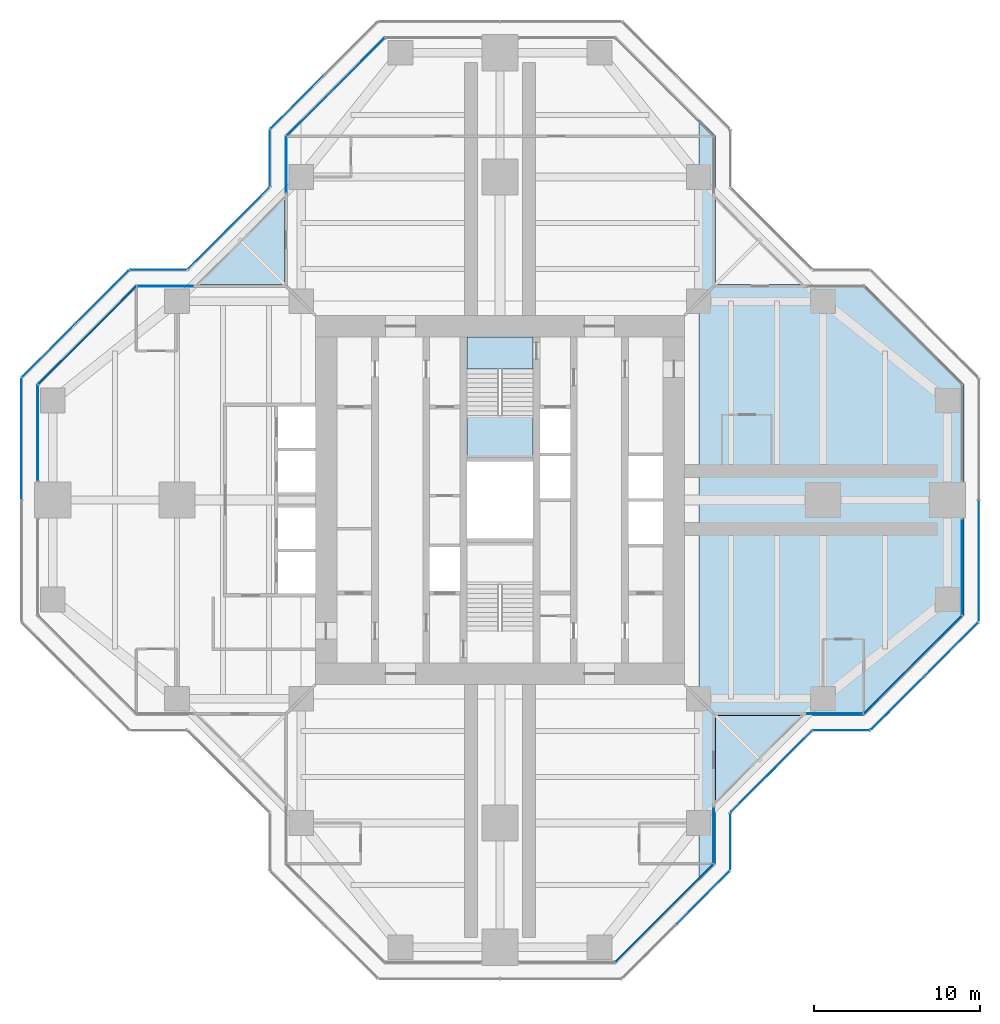
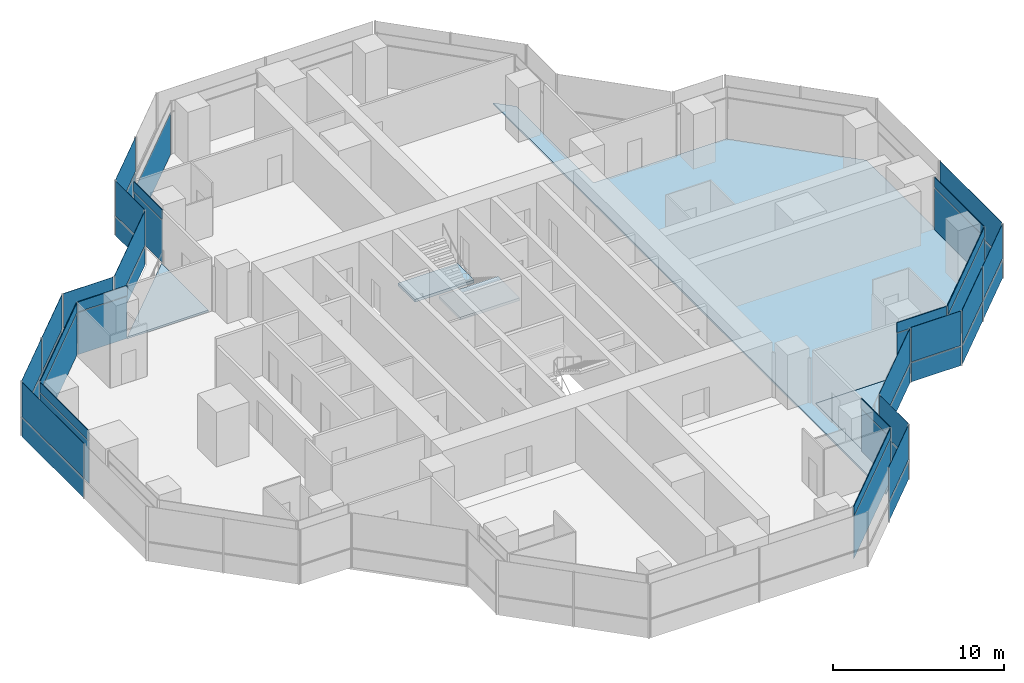
# One storey, part 11 of 17: 47 plates, 5 slabs, 23 elements without a shape of their own.
"""IFC4 building model written with IfcOpenShell, lengths in metres."""

from ifc_helpers import new_model, si_unit, direction, frame, origin, origin_2d, place, context, subcontext, project, spatial, polyline, rectangle, outline, extrude, material, layer, layer_set, type_object, element, aggregate, save


model = new_model("IFC4")

# Units and contexts
model_context = context("Model", 3, precision=1e-05, world=origin(), true_north=direction((0.0, 1.0)))
body_context = subcontext(model_context, "Body", "Model", "MODEL_VIEW")
ifc_project = project(units=[si_unit("LENGTHUNIT", "METRE"), si_unit("AREAUNIT", "SQUARE_METRE"), si_unit("VOLUMEUNIT", "CUBIC_METRE"), si_unit("PLANEANGLEUNIT", "RADIAN"), si_unit("MASSUNIT", "GRAM", prefix="KILO")], contexts=[model_context])

# Site, building, storey
site_placement = place(None, origin())
site = spatial("IfcSite", under=ifc_project, at=site_placement, CompositionType="ELEMENT")
building_placement = place(site_placement, origin())
building = spatial("IfcBuilding", under=site, at=building_placement, Name="Mizan Broadcast Tower", CompositionType="ELEMENT")
storey_placement = place(building_placement, frame((0.0, 0.0, 259.5)))
storey = spatial("IfcBuildingStorey", under=building, at=storey_placement, Name="L61", CompositionType="ELEMENT", Elevation=259.5)

# Slab
ifc_material_1 = material(Name="Concrete C32/40", Category="concrete")
ifc_layer_1 = layer(ifc_material_1, 0.1298828125)
ifc_layer_set_1 = layer_set([ifc_layer_1], Name="Concrete C32/40")
slab_type_1 = type_object("IfcSlabType", Name="COMPOSITE DECK SLAB 130", PredefinedType="FLOOR", material=ifc_layer_set_1)
slab_1_placement = place(storey_placement, frame((0.0, 0.0, -0.1298828125)))
element("IfcSlab", 1, at=slab_1_placement, inside=storey, type_object=slab_type_1, Name="Floor slab L61 east arm", PredefinedType="FLOOR", context=body_context, shape_type="SweptSolid", body=[
    extrude(outline(polyline([(13.0, 22.0), (12.0, 23.0), (12.0, -23.0), (13.0, -22.0), (13.0, -13.0), (22.0, -13.0), (28.0, -7.0), (28.0, 7.0), (22.0, 13.0), (13.0, 13.0), (13.0, 22.0)])), origin(), (0.0, 0.0, 1.0), 0.1298828125),
])

# Curtain wall, plate
ifc_material_2 = material(Name="Aluminium framed glazing", Category="aluminium")
curtain_wall_type_1 = type_object("IfcCurtainWallType", Name="INNER SKIN HIGH ZONE", PredefinedType="USERDEFINED", material=ifc_material_2)
curtain_wall_1_placement = place(storey_placement, origin())
curtain_wall_1 = element("IfcCurtainWall", 2, at=curtain_wall_1_placement, inside=storey, type_object=curtain_wall_type_1, Name="Inner skin high zone L61 E side", ObjectType="INNER SKIN HIGH ZONE", PredefinedType="USERDEFINED")
ifc_material_3 = material(Name="Double glazing, clear low-e", Category="glass")
ifc_layer_2 = layer(ifc_material_3, 0.028076171875)
ifc_layer_set_2 = layer_set([ifc_layer_2], Name="Double glazing, clear low-e")
plate_type_1 = type_object("IfcPlateType", Name="INNER SKIN GLAZING UNIT", PredefinedType="CURTAIN_PANEL", material=ifc_layer_set_2)
plate_1_placement = place(storey_placement, frame((20.229248046875, -12.89990234375, 0.0), z_axis=(0.0, 0.0, 1.0), x_axis=(1.0, 0.0, 0.0)))
plate_1 = element("IfcPlate", 3, at=plate_1_placement, type_object=plate_type_1, Name="Inner skin high zone L61 E side panel 1.1", PredefinedType="CURTAIN_PANEL", context=body_context, shape_type="SweptSolid", body=[
    extrude(rectangle(XDim=3.338623046875, YDim=0.028076171875, at=origin_2d()), origin(), (0.0, 0.0, 1.0), 3.0),
])

curtain_wall_2_placement = place(storey_placement, origin())
curtain_wall_2 = element("IfcCurtainWall", 4, at=curtain_wall_2_placement, inside=storey, type_object=curtain_wall_type_1, Name="Inner skin high zone L61 E chamfer", ObjectType="INNER SKIN HIGH ZONE", PredefinedType="USERDEFINED")
plate_2_placement = place(storey_placement, frame((24.92919921875, -9.92919921875, 0.0), z_axis=(0.0, 0.0, 1.0), x_axis=(0.707106781187, 0.707106781187, 0.0)))
plate_2 = element("IfcPlate", 5, at=plate_2_placement, type_object=plate_type_1, Name="Inner skin high zone L61 E chamfer panel 1.1", PredefinedType="CURTAIN_PANEL", context=body_context, shape_type="SweptSolid", body=[
    extrude(rectangle(XDim=8.282470703125, YDim=0.028076171875, at=origin_2d()), origin(), (0.0, 0.0, 1.0), 3.0),
])

curtain_wall_3_placement = place(storey_placement, origin())
curtain_wall_3 = element("IfcCurtainWall", 6, at=curtain_wall_3_placement, inside=storey, type_object=curtain_wall_type_1, Name="Inner skin high zone L61 E end", ObjectType="INNER SKIN HIGH ZONE", PredefinedType="USERDEFINED")
plate_3_placement = place(storey_placement, frame((27.89990234375, -4.029296875, 0.0), z_axis=(0.0, 0.0, 1.0), x_axis=(0.0, 1.0, 0.0)))
plate_3 = element("IfcPlate", 7, at=plate_3_placement, type_object=plate_type_1, Name="Inner skin high zone L61 E end panel 1.1", PredefinedType="CURTAIN_PANEL", context=body_context, shape_type="SweptSolid", body=[
    extrude(rectangle(XDim=5.738525390625, YDim=0.028076171875, at=origin_2d()), origin(), (0.0, 0.0, 1.0), 3.0),
])

curtain_wall_4_placement = place(storey_placement, origin())
curtain_wall_4 = element("IfcCurtainWall", 8, at=curtain_wall_4_placement, inside=storey, type_object=curtain_wall_type_1, Name="Inner skin high zone L61 N chamfer", ObjectType="INNER SKIN HIGH ZONE", PredefinedType="USERDEFINED")
plate_4_placement = place(storey_placement, frame((-9.92919921875, 24.92919921875, 0.0), z_axis=(0.0, 0.0, 1.0), x_axis=(-0.707106781187, -0.707106781187, 0.0)))
plate_4 = element("IfcPlate", 9, at=plate_4_placement, type_object=plate_type_1, Name="Inner skin high zone L61 N chamfer panel 1.1", PredefinedType="CURTAIN_PANEL", context=body_context, shape_type="SweptSolid", body=[
    extrude(rectangle(XDim=8.282470703125, YDim=0.028076171875, at=origin_2d()), origin(), (0.0, 0.0, 1.0), 3.0),
])
aggregate(curtain_wall_4, [plate_4])

curtain_wall_5_placement = place(storey_placement, origin())
curtain_wall_5 = element("IfcCurtainWall", 10, at=curtain_wall_5_placement, inside=storey, type_object=curtain_wall_type_1, Name="Inner skin high zone L61 N side", ObjectType="INNER SKIN HIGH ZONE", PredefinedType="USERDEFINED")
plate_5_placement = place(storey_placement, frame((-12.89990234375, 20.229248046875, 0.0), z_axis=(0.0, 0.0, 1.0), x_axis=(0.0, -1.0, 0.0)))
plate_5 = element("IfcPlate", 11, at=plate_5_placement, type_object=plate_type_1, Name="Inner skin high zone L61 N side panel 1.1", PredefinedType="CURTAIN_PANEL", context=body_context, shape_type="SweptSolid", body=[
    extrude(rectangle(XDim=3.338623046875, YDim=0.028076171875, at=origin_2d()), origin(), (0.0, 0.0, 1.0), 3.0),
])

curtain_wall_6_placement = place(storey_placement, origin())
curtain_wall_6 = element("IfcCurtainWall", 12, at=curtain_wall_6_placement, inside=storey, type_object=curtain_wall_type_1, Name="Inner skin high zone L61 W side", ObjectType="INNER SKIN HIGH ZONE", PredefinedType="USERDEFINED")
plate_6_placement = place(storey_placement, frame((-20.229248046875, 12.89990234375, 0.0), z_axis=(0.0, 0.0, 1.0), x_axis=(-1.0, 0.0, 0.0)))
plate_6 = element("IfcPlate", 13, at=plate_6_placement, type_object=plate_type_1, Name="Inner skin high zone L61 W side panel 1.1", PredefinedType="CURTAIN_PANEL", context=body_context, shape_type="SweptSolid", body=[
    extrude(rectangle(XDim=3.338623046875, YDim=0.028076171875, at=origin_2d()), origin(), (0.0, 0.0, 1.0), 3.0),
])

curtain_wall_7_placement = place(storey_placement, origin())
curtain_wall_7 = element("IfcCurtainWall", 14, at=curtain_wall_7_placement, inside=storey, type_object=curtain_wall_type_1, Name="Inner skin high zone L61 W chamfer", ObjectType="INNER SKIN HIGH ZONE", PredefinedType="USERDEFINED")
plate_7_placement = place(storey_placement, frame((-24.92919921875, 9.92919921875, 0.0), z_axis=(0.0, 0.0, 1.0), x_axis=(-0.707106781187, -0.707106781187, 0.0)))
plate_7 = element("IfcPlate", 15, at=plate_7_placement, type_object=plate_type_1, Name="Inner skin high zone L61 W chamfer panel 1.1", PredefinedType="CURTAIN_PANEL", context=body_context, shape_type="SweptSolid", body=[
    extrude(rectangle(XDim=8.282470703125, YDim=0.028076171875, at=origin_2d()), origin(), (0.0, 0.0, 1.0), 3.0),
])

curtain_wall_8_placement = place(storey_placement, origin())
curtain_wall_8 = element("IfcCurtainWall", 16, at=curtain_wall_8_placement, inside=storey, type_object=curtain_wall_type_1, Name="Inner skin high zone L61 W end", ObjectType="INNER SKIN HIGH ZONE", PredefinedType="USERDEFINED")
plate_8_placement = place(storey_placement, frame((-27.89990234375, 4.029296875, 0.0), z_axis=(0.0, 0.0, 1.0), x_axis=(0.0, -1.0, 0.0)))
plate_8 = element("IfcPlate", 17, at=plate_8_placement, type_object=plate_type_1, Name="Inner skin high zone L61 W end panel 1.1", PredefinedType="CURTAIN_PANEL", context=body_context, shape_type="SweptSolid", body=[
    extrude(rectangle(XDim=5.738525390625, YDim=0.028076171875, at=origin_2d()), origin(), (0.0, 0.0, 1.0), 3.0),
])

curtain_wall_9_placement = place(storey_placement, origin())
curtain_wall_9 = element("IfcCurtainWall", 18, at=curtain_wall_9_placement, inside=storey, type_object=curtain_wall_type_1, Name="Inner skin high zone L61 S chamfer", ObjectType="INNER SKIN HIGH ZONE", PredefinedType="USERDEFINED")
plate_9_placement = place(storey_placement, frame((9.92919921875, -24.92919921875, 0.0), z_axis=(0.0, 0.0, 1.0), x_axis=(0.707106781187, 0.707106781187, 0.0)))
plate_9 = element("IfcPlate", 19, at=plate_9_placement, type_object=plate_type_1, Name="Inner skin high zone L61 S chamfer panel 1.1", PredefinedType="CURTAIN_PANEL", context=body_context, shape_type="SweptSolid", body=[
    extrude(rectangle(XDim=8.282470703125, YDim=0.028076171875, at=origin_2d()), origin(), (0.0, 0.0, 1.0), 3.0),
])

curtain_wall_10_placement = place(storey_placement, origin())
curtain_wall_10 = element("IfcCurtainWall", 20, at=curtain_wall_10_placement, inside=storey, type_object=curtain_wall_type_1, Name="Inner skin high zone L61 S side", ObjectType="INNER SKIN HIGH ZONE", PredefinedType="USERDEFINED")
plate_10_placement = place(storey_placement, frame((12.89990234375, -20.229248046875, 0.0), z_axis=(0.0, 0.0, 1.0), x_axis=(0.0, 1.0, 0.0)))
plate_10 = element("IfcPlate", 21, at=plate_10_placement, type_object=plate_type_1, Name="Inner skin high zone L61 S side panel 1.1", PredefinedType="CURTAIN_PANEL", context=body_context, shape_type="SweptSolid", body=[
    extrude(rectangle(XDim=3.338623046875, YDim=0.028076171875, at=origin_2d()), origin(), (0.0, 0.0, 1.0), 3.0),
])

# Plate
ifc_material_4 = material(Name="Insulated aluminium spandrel panel, pale anodised", Category="aluminium")
ifc_layer_3 = layer(ifc_material_4, 0.050048828125)
ifc_layer_set_3 = layer_set([ifc_layer_3], Name="Insulated aluminium spandrel panel, pale anodised")
plate_type_2 = type_object("IfcPlateType", Name="INNER SKIN SPANDREL PANEL", PredefinedType="CURTAIN_PANEL", material=ifc_layer_set_3)
plate_11_placement = place(storey_placement, frame((20.229248046875, -12.89990234375, 3.06005859375), z_axis=(0.0, 0.0, 1.0), x_axis=(1.0, 0.0, 0.0)))
plate_11 = element("IfcPlate", 22, at=plate_11_placement, type_object=plate_type_2, Name="Inner skin high zone L61 E side panel 1.2", PredefinedType="CURTAIN_PANEL", context=body_context, shape_type="SweptSolid", body=[
    extrude(rectangle(XDim=3.338623046875, YDim=0.050048828125, at=origin_2d()), origin(), (0.0, 0.0, 1.0), 0.7099609375),
])

aggregate(curtain_wall_1, [plate_1, plate_11])

plate_12_placement = place(storey_placement, frame((24.92919921875, -9.92919921875, 3.06005859375), z_axis=(0.0, 0.0, 1.0), x_axis=(0.707106781187, 0.707106781187, 0.0)))
plate_12 = element("IfcPlate", 23, at=plate_12_placement, type_object=plate_type_2, Name="Inner skin high zone L61 E chamfer panel 1.2", PredefinedType="CURTAIN_PANEL", context=body_context, shape_type="SweptSolid", body=[
    extrude(rectangle(XDim=8.282470703125, YDim=0.050048828125, at=origin_2d()), origin(), (0.0, 0.0, 1.0), 0.7099609375),
])

aggregate(curtain_wall_2, [plate_2, plate_12])

plate_13_placement = place(storey_placement, frame((27.89990234375, -4.029296875, 3.06005859375), z_axis=(0.0, 0.0, 1.0), x_axis=(0.0, 1.0, 0.0)))
plate_13 = element("IfcPlate", 24, at=plate_13_placement, type_object=plate_type_2, Name="Inner skin high zone L61 E end panel 1.2", PredefinedType="CURTAIN_PANEL", context=body_context, shape_type="SweptSolid", body=[
    extrude(rectangle(XDim=5.738525390625, YDim=0.050048828125, at=origin_2d()), origin(), (0.0, 0.0, 1.0), 0.7099609375),
])

aggregate(curtain_wall_3, [plate_3, plate_13])

plate_14_placement = place(storey_placement, frame((-12.89990234375, 20.229248046875, 3.06005859375), z_axis=(0.0, 0.0, 1.0), x_axis=(0.0, -1.0, 0.0)))
plate_14 = element("IfcPlate", 25, at=plate_14_placement, type_object=plate_type_2, Name="Inner skin high zone L61 N side panel 1.2", PredefinedType="CURTAIN_PANEL", context=body_context, shape_type="SweptSolid", body=[
    extrude(rectangle(XDim=3.338623046875, YDim=0.050048828125, at=origin_2d()), origin(), (0.0, 0.0, 1.0), 0.7099609375),
])

aggregate(curtain_wall_5, [plate_5, plate_14])

plate_15_placement = place(storey_placement, frame((-20.229248046875, 12.89990234375, 3.06005859375), z_axis=(0.0, 0.0, 1.0), x_axis=(-1.0, 0.0, 0.0)))
plate_15 = element("IfcPlate", 26, at=plate_15_placement, type_object=plate_type_2, Name="Inner skin high zone L61 W side panel 1.2", PredefinedType="CURTAIN_PANEL", context=body_context, shape_type="SweptSolid", body=[
    extrude(rectangle(XDim=3.338623046875, YDim=0.050048828125, at=origin_2d()), origin(), (0.0, 0.0, 1.0), 0.7099609375),
])

aggregate(curtain_wall_6, [plate_6, plate_15])

plate_16_placement = place(storey_placement, frame((-24.92919921875, 9.92919921875, 3.06005859375), z_axis=(0.0, 0.0, 1.0), x_axis=(-0.707106781187, -0.707106781187, 0.0)))
plate_16 = element("IfcPlate", 27, at=plate_16_placement, type_object=plate_type_2, Name="Inner skin high zone L61 W chamfer panel 1.2", PredefinedType="CURTAIN_PANEL", context=body_context, shape_type="SweptSolid", body=[
    extrude(rectangle(XDim=8.282470703125, YDim=0.050048828125, at=origin_2d()), origin(), (0.0, 0.0, 1.0), 0.7099609375),
])

aggregate(curtain_wall_7, [plate_7, plate_16])

plate_17_placement = place(storey_placement, frame((-27.89990234375, 4.029296875, 3.06005859375), z_axis=(0.0, 0.0, 1.0), x_axis=(0.0, -1.0, 0.0)))
plate_17 = element("IfcPlate", 28, at=plate_17_placement, type_object=plate_type_2, Name="Inner skin high zone L61 W end panel 1.2", PredefinedType="CURTAIN_PANEL", context=body_context, shape_type="SweptSolid", body=[
    extrude(rectangle(XDim=5.738525390625, YDim=0.050048828125, at=origin_2d()), origin(), (0.0, 0.0, 1.0), 0.7099609375),
])

aggregate(curtain_wall_8, [plate_8, plate_17])

plate_18_placement = place(storey_placement, frame((9.92919921875, -24.92919921875, 3.06005859375), z_axis=(0.0, 0.0, 1.0), x_axis=(0.707106781187, 0.707106781187, 0.0)))
plate_18 = element("IfcPlate", 29, at=plate_18_placement, type_object=plate_type_2, Name="Inner skin high zone L61 S chamfer panel 1.2", PredefinedType="CURTAIN_PANEL", context=body_context, shape_type="SweptSolid", body=[
    extrude(rectangle(XDim=8.282470703125, YDim=0.050048828125, at=origin_2d()), origin(), (0.0, 0.0, 1.0), 0.7099609375),
])

aggregate(curtain_wall_9, [plate_9, plate_18])

plate_19_placement = place(storey_placement, frame((12.89990234375, -20.229248046875, 3.06005859375), z_axis=(0.0, 0.0, 1.0), x_axis=(0.0, 1.0, 0.0)))
plate_19 = element("IfcPlate", 30, at=plate_19_placement, type_object=plate_type_2, Name="Inner skin high zone L61 S side panel 1.2", PredefinedType="CURTAIN_PANEL", context=body_context, shape_type="SweptSolid", body=[
    extrude(rectangle(XDim=3.338623046875, YDim=0.050048828125, at=origin_2d()), origin(), (0.0, 0.0, 1.0), 0.7099609375),
])

aggregate(curtain_wall_10, [plate_10, plate_19])

# Curtain wall, plates
ifc_material_5 = material(Name="Aluminium framed glazing", Category="aluminium")
curtain_wall_type_2 = type_object("IfcCurtainWallType", Name="OUTER SKIN", PredefinedType="USERDEFINED", material=ifc_material_5)
curtain_wall_11_placement = place(storey_placement, origin())
curtain_wall_11 = element("IfcCurtainWall", 31, at=curtain_wall_11_placement, inside=storey, type_object=curtain_wall_type_2, Name="Outer skin L61 E chamfer", ObjectType="OUTER SKIN", PredefinedType="USERDEFINED")
ifc_material_6 = material(Name="Laminated clear glass", Category="glass")
ifc_layer_4 = layer(ifc_material_6, 0.02001953125)
ifc_layer_set_4 = layer_set([ifc_layer_4], Name="Laminated clear glass")
plate_type_3 = type_object("IfcPlateType", Name="OUTER SKIN CLEAR GLASS", PredefinedType="CURTAIN_PANEL", material=ifc_layer_set_4)
plate_20_placement = place(storey_placement, frame((24.018798828125, -12.254150390625, 0.0), z_axis=(0.0, 0.0, 1.0), x_axis=(0.707106781187, 0.707106781187, 0.0)))
plate_20 = element("IfcPlate", 32, at=plate_20_placement, type_object=plate_type_3, Name="Outer skin L61 E chamfer panel 1.1", PredefinedType="CURTAIN_PANEL", context=body_context, shape_type="SweptSolid", body=[
    extrude(rectangle(XDim=4.495361328125, YDim=0.02001953125, at=origin_2d()), origin(), (0.0, 0.0, 1.0), 1.3701171875),
])
plate_21_placement = place(storey_placement, frame((24.018798828125, -12.254150390625, 1.43017578125), z_axis=(0.0, 0.0, 1.0), x_axis=(0.707106781187, 0.707106781187, 0.0)))
plate_21 = element("IfcPlate", 33, at=plate_21_placement, type_object=plate_type_3, Name="Outer skin L61 E chamfer panel 1.2", PredefinedType="CURTAIN_PANEL", context=body_context, shape_type="SweptSolid", body=[
    extrude(rectangle(XDim=4.495361328125, YDim=0.02001953125, at=origin_2d()), origin(), (0.0, 0.0, 1.0), 2.469970703125),
])

curtain_wall_12_placement = place(storey_placement, origin())
curtain_wall_12 = element("IfcCurtainWall", 34, at=curtain_wall_12_placement, inside=storey, type_object=curtain_wall_type_2, Name="Outer skin L61 E end", ObjectType="OUTER SKIN", PredefinedType="USERDEFINED")
plate_22_placement = place(storey_placement, frame((28.89990234375, -3.66650390625, 0.0), z_axis=(0.0, 0.0, 1.0), x_axis=(0.0, 1.0, 0.0)))
plate_22 = element("IfcPlate", 35, at=plate_22_placement, type_object=plate_type_3, Name="Outer skin L61 E end panel 1.1", PredefinedType="CURTAIN_PANEL", context=body_context, shape_type="SweptSolid", body=[
    extrude(rectangle(XDim=7.252685546875, YDim=0.02001953125, at=origin_2d()), origin(), (0.0, 0.0, 1.0), 1.3701171875),
])
plate_23_placement = place(storey_placement, frame((28.89990234375, -3.66650390625, 1.43017578125), z_axis=(0.0, 0.0, 1.0), x_axis=(0.0, 1.0, 0.0)))
plate_23 = element("IfcPlate", 36, at=plate_23_placement, type_object=plate_type_3, Name="Outer skin L61 E end panel 1.2", PredefinedType="CURTAIN_PANEL", context=body_context, shape_type="SweptSolid", body=[
    extrude(rectangle(XDim=7.252685546875, YDim=0.02001953125, at=origin_2d()), origin(), (0.0, 0.0, 1.0), 2.469970703125),
])
aggregate(curtain_wall_12, [plate_22, plate_23])

curtain_wall_13_placement = place(storey_placement, origin())
curtain_wall_13 = element("IfcCurtainWall", 37, at=curtain_wall_13_placement, inside=storey, type_object=curtain_wall_type_2, Name="Outer skin L61 N side", ObjectType="OUTER SKIN", PredefinedType="USERDEFINED")
plate_24_placement = place(storey_placement, frame((-13.89990234375, 20.622802734375, 0.0), z_axis=(0.0, 0.0, 1.0), x_axis=(0.0, -1.0, 0.0)))
plate_24 = element("IfcPlate", 38, at=plate_24_placement, type_object=plate_type_3, Name="Outer skin L61 N side panel 1.1", PredefinedType="CURTAIN_PANEL", context=body_context, shape_type="SweptSolid", body=[
    extrude(rectangle(XDim=3.340087890625, YDim=0.02001953125, at=origin_2d()), origin(), (0.0, 0.0, 1.0), 1.3701171875),
])
plate_25_placement = place(storey_placement, frame((-13.89990234375, 20.622802734375, 1.43017578125), z_axis=(0.0, 0.0, 1.0), x_axis=(0.0, -1.0, 0.0)))
plate_25 = element("IfcPlate", 39, at=plate_25_placement, type_object=plate_type_3, Name="Outer skin L61 N side panel 1.2", PredefinedType="CURTAIN_PANEL", context=body_context, shape_type="SweptSolid", body=[
    extrude(rectangle(XDim=3.340087890625, YDim=0.02001953125, at=origin_2d()), origin(), (0.0, 0.0, 1.0), 2.469970703125),
])
aggregate(curtain_wall_13, [plate_24, plate_25])

curtain_wall_14_placement = place(storey_placement, origin())
curtain_wall_14 = element("IfcCurtainWall", 40, at=curtain_wall_14_placement, inside=storey, type_object=curtain_wall_type_2, Name="Outer skin L61 W chamfer", ObjectType="OUTER SKIN", PredefinedType="USERDEFINED")
plate_26_placement = place(storey_placement, frame((-16.386474609375, 16.386474609375, 0.0), z_axis=(0.0, 0.0, 1.0), x_axis=(-0.707106781187, -0.707106781187, 0.0)))
plate_26 = element("IfcPlate", 41, at=plate_26_placement, type_object=plate_type_3, Name="Outer skin L61 W chamfer panel 1.1", PredefinedType="CURTAIN_PANEL", context=body_context, shape_type="SweptSolid", body=[
    extrude(rectangle(XDim=6.87255859375, YDim=0.02001953125, at=origin_2d()), origin(), (0.0, 0.0, 1.0), 1.3701171875),
])
plate_27_placement = place(storey_placement, frame((-16.386474609375, 16.386474609375, 1.43017578125), z_axis=(0.0, 0.0, 1.0), x_axis=(-0.707106781187, -0.707106781187, 0.0)))
plate_27 = element("IfcPlate", 42, at=plate_27_placement, type_object=plate_type_3, Name="Outer skin L61 W chamfer panel 1.2", PredefinedType="CURTAIN_PANEL", context=body_context, shape_type="SweptSolid", body=[
    extrude(rectangle(XDim=6.87255859375, YDim=0.02001953125, at=origin_2d()), origin(), (0.0, 0.0, 1.0), 2.469970703125),
])
aggregate(curtain_wall_14, [plate_26, plate_27])

curtain_wall_15_placement = place(storey_placement, origin())
curtain_wall_15 = element("IfcCurtainWall", 43, at=curtain_wall_15_placement, inside=storey, type_object=curtain_wall_type_2, Name="Outer skin L61 W side", ObjectType="OUTER SKIN", PredefinedType="USERDEFINED")
plate_28_placement = place(storey_placement, frame((-20.622802734375, 13.89990234375, 0.0), z_axis=(0.0, 0.0, 1.0), x_axis=(-1.0, 0.0, 0.0)))
plate_28 = element("IfcPlate", 44, at=plate_28_placement, type_object=plate_type_3, Name="Outer skin L61 W side panel 1.1", PredefinedType="CURTAIN_PANEL", context=body_context, shape_type="SweptSolid", body=[
    extrude(rectangle(XDim=3.340087890625, YDim=0.02001953125, at=origin_2d()), origin(), (0.0, 0.0, 1.0), 1.3701171875),
])
plate_29_placement = place(storey_placement, frame((-20.622802734375, 13.89990234375, 1.43017578125), z_axis=(0.0, 0.0, 1.0), x_axis=(-1.0, 0.0, 0.0)))
plate_29 = element("IfcPlate", 45, at=plate_29_placement, type_object=plate_type_3, Name="Outer skin L61 W side panel 1.2", PredefinedType="CURTAIN_PANEL", context=body_context, shape_type="SweptSolid", body=[
    extrude(rectangle(XDim=3.340087890625, YDim=0.02001953125, at=origin_2d()), origin(), (0.0, 0.0, 1.0), 2.469970703125),
])
aggregate(curtain_wall_15, [plate_28, plate_29])

curtain_wall_16_placement = place(storey_placement, origin())
curtain_wall_16 = element("IfcCurtainWall", 46, at=curtain_wall_16_placement, inside=storey, type_object=curtain_wall_type_2, Name="Outer skin L61 W chamfer", ObjectType="OUTER SKIN", PredefinedType="USERDEFINED")
plate_30_placement = place(storey_placement, frame((-24.018798828125, 12.254150390625, 0.0), z_axis=(0.0, 0.0, 1.0), x_axis=(-0.707106781187, -0.707106781187, 0.0)))
plate_30 = element("IfcPlate", 47, at=plate_30_placement, type_object=plate_type_3, Name="Outer skin L61 W chamfer panel 1.1", PredefinedType="CURTAIN_PANEL", context=body_context, shape_type="SweptSolid", body=[
    extrude(rectangle(XDim=4.495361328125, YDim=0.02001953125, at=origin_2d()), origin(), (0.0, 0.0, 1.0), 1.3701171875),
])
plate_31_placement = place(storey_placement, frame((-24.018798828125, 12.254150390625, 1.43017578125), z_axis=(0.0, 0.0, 1.0), x_axis=(-0.707106781187, -0.707106781187, 0.0)))
plate_31 = element("IfcPlate", 48, at=plate_31_placement, type_object=plate_type_3, Name="Outer skin L61 W chamfer panel 1.2", PredefinedType="CURTAIN_PANEL", context=body_context, shape_type="SweptSolid", body=[
    extrude(rectangle(XDim=4.495361328125, YDim=0.02001953125, at=origin_2d()), origin(), (0.0, 0.0, 1.0), 2.469970703125),
])

curtain_wall_17_placement = place(storey_placement, origin())
curtain_wall_17 = element("IfcCurtainWall", 49, at=curtain_wall_17_placement, inside=storey, type_object=curtain_wall_type_2, Name="Outer skin L61 W end", ObjectType="OUTER SKIN", PredefinedType="USERDEFINED")
plate_32_placement = place(storey_placement, frame((-28.89990234375, 3.66650390625, 0.0), z_axis=(0.0, 0.0, 1.0), x_axis=(0.0, -1.0, 0.0)))
plate_32 = element("IfcPlate", 50, at=plate_32_placement, type_object=plate_type_3, Name="Outer skin L61 W end panel 1.1", PredefinedType="CURTAIN_PANEL", context=body_context, shape_type="SweptSolid", body=[
    extrude(rectangle(XDim=7.252685546875, YDim=0.02001953125, at=origin_2d()), origin(), (0.0, 0.0, 1.0), 1.3701171875),
])
plate_33_placement = place(storey_placement, frame((-28.89990234375, 3.66650390625, 1.43017578125), z_axis=(0.0, 0.0, 1.0), x_axis=(0.0, -1.0, 0.0)))
plate_33 = element("IfcPlate", 51, at=plate_33_placement, type_object=plate_type_3, Name="Outer skin L61 W end panel 1.2", PredefinedType="CURTAIN_PANEL", context=body_context, shape_type="SweptSolid", body=[
    extrude(rectangle(XDim=7.252685546875, YDim=0.02001953125, at=origin_2d()), origin(), (0.0, 0.0, 1.0), 2.469970703125),
])
aggregate(curtain_wall_17, [plate_32, plate_33])

curtain_wall_18_placement = place(storey_placement, origin())
curtain_wall_18 = element("IfcCurtainWall", 52, at=curtain_wall_18_placement, inside=storey, type_object=curtain_wall_type_2, Name="Outer skin L61 S side", ObjectType="OUTER SKIN", PredefinedType="USERDEFINED")
plate_34_placement = place(storey_placement, frame((13.89990234375, -20.622802734375, 0.0), z_axis=(0.0, 0.0, 1.0), x_axis=(0.0, 1.0, 0.0)))
plate_34 = element("IfcPlate", 53, at=plate_34_placement, type_object=plate_type_3, Name="Outer skin L61 S side panel 1.1", PredefinedType="CURTAIN_PANEL", context=body_context, shape_type="SweptSolid", body=[
    extrude(rectangle(XDim=3.340087890625, YDim=0.02001953125, at=origin_2d()), origin(), (0.0, 0.0, 1.0), 1.3701171875),
])
plate_35_placement = place(storey_placement, frame((13.89990234375, -20.622802734375, 1.43017578125), z_axis=(0.0, 0.0, 1.0), x_axis=(0.0, 1.0, 0.0)))
plate_35 = element("IfcPlate", 54, at=plate_35_placement, type_object=plate_type_3, Name="Outer skin L61 S side panel 1.2", PredefinedType="CURTAIN_PANEL", context=body_context, shape_type="SweptSolid", body=[
    extrude(rectangle(XDim=3.340087890625, YDim=0.02001953125, at=origin_2d()), origin(), (0.0, 0.0, 1.0), 2.469970703125),
])
aggregate(curtain_wall_18, [plate_34, plate_35])

curtain_wall_19_placement = place(storey_placement, origin())
curtain_wall_19 = element("IfcCurtainWall", 55, at=curtain_wall_19_placement, inside=storey, type_object=curtain_wall_type_2, Name="Outer skin L61 E chamfer", ObjectType="OUTER SKIN", PredefinedType="USERDEFINED")
plate_36_placement = place(storey_placement, frame((16.386474609375, -16.386474609375, 0.0), z_axis=(0.0, 0.0, 1.0), x_axis=(0.707106781187, 0.707106781187, 0.0)))
plate_36 = element("IfcPlate", 56, at=plate_36_placement, type_object=plate_type_3, Name="Outer skin L61 E chamfer panel 1.1", PredefinedType="CURTAIN_PANEL", context=body_context, shape_type="SweptSolid", body=[
    extrude(rectangle(XDim=6.87255859375, YDim=0.02001953125, at=origin_2d()), origin(), (0.0, 0.0, 1.0), 1.3701171875),
])
plate_37_placement = place(storey_placement, frame((16.386474609375, -16.386474609375, 1.43017578125), z_axis=(0.0, 0.0, 1.0), x_axis=(0.707106781187, 0.707106781187, 0.0)))
plate_37 = element("IfcPlate", 57, at=plate_37_placement, type_object=plate_type_3, Name="Outer skin L61 E chamfer panel 1.2", PredefinedType="CURTAIN_PANEL", context=body_context, shape_type="SweptSolid", body=[
    extrude(rectangle(XDim=6.87255859375, YDim=0.02001953125, at=origin_2d()), origin(), (0.0, 0.0, 1.0), 2.469970703125),
])
aggregate(curtain_wall_19, [plate_36, plate_37])

curtain_wall_20_placement = place(storey_placement, origin())
curtain_wall_20 = element("IfcCurtainWall", 58, at=curtain_wall_20_placement, inside=storey, type_object=curtain_wall_type_2, Name="Outer skin L61 E side", ObjectType="OUTER SKIN", PredefinedType="USERDEFINED")
plate_38_placement = place(storey_placement, frame((20.622802734375, -13.89990234375, 0.0), z_axis=(0.0, 0.0, 1.0), x_axis=(1.0, 0.0, 0.0)))
plate_38 = element("IfcPlate", 59, at=plate_38_placement, type_object=plate_type_3, Name="Outer skin L61 E side panel 1.1", PredefinedType="CURTAIN_PANEL", context=body_context, shape_type="SweptSolid", body=[
    extrude(rectangle(XDim=3.340087890625, YDim=0.02001953125, at=origin_2d()), origin(), (0.0, 0.0, 1.0), 1.3701171875),
])
plate_39_placement = place(storey_placement, frame((20.622802734375, -13.89990234375, 1.43017578125), z_axis=(0.0, 0.0, 1.0), x_axis=(1.0, 0.0, 0.0)))
plate_39 = element("IfcPlate", 60, at=plate_39_placement, type_object=plate_type_3, Name="Outer skin L61 E side panel 1.2", PredefinedType="CURTAIN_PANEL", context=body_context, shape_type="SweptSolid", body=[
    extrude(rectangle(XDim=3.340087890625, YDim=0.02001953125, at=origin_2d()), origin(), (0.0, 0.0, 1.0), 2.469970703125),
])
aggregate(curtain_wall_20, [plate_38, plate_39])

# Plate
ifc_material_7 = material(Name="Perforated aluminium, pale anodised", Category="aluminium")
ifc_layer_5 = layer(ifc_material_7, 0.011962890625)
ifc_layer_set_5 = layer_set([ifc_layer_5], Name="Perforated aluminium, pale anodised")
plate_type_4 = type_object("IfcPlateType", Name="OUTER SKIN PERFORATED SCREEN", PredefinedType="USERDEFINED", material=ifc_layer_set_5)
plate_40_placement = place(storey_placement, frame((27.254150390625, -9.018798828125, 0.0), z_axis=(0.0, 0.0, 1.0), x_axis=(0.707106781187, 0.707106781187, 0.0)))
plate_40 = element("IfcPlate", 61, at=plate_40_placement, type_object=plate_type_4, Name="Outer skin L61 E chamfer panel 2.1", ObjectType="SCREEN", PredefinedType="USERDEFINED", context=body_context, shape_type="SweptSolid", body=[
    extrude(rectangle(XDim=4.495361328125, YDim=0.011962890625, at=origin_2d()), origin(), (0.0, 0.0, 1.0), 1.3701171875),
])

plate_41_placement = place(storey_placement, frame((27.254150390625, -9.018798828125, 1.43017578125), z_axis=(0.0, 0.0, 1.0), x_axis=(0.707106781187, 0.707106781187, 0.0)))
plate_41 = element("IfcPlate", 62, at=plate_41_placement, type_object=plate_type_4, Name="Outer skin L61 E chamfer panel 2.2", ObjectType="SCREEN", PredefinedType="USERDEFINED", context=body_context, shape_type="SweptSolid", body=[
    extrude(rectangle(XDim=4.495361328125, YDim=0.011962890625, at=origin_2d()), origin(), (0.0, 0.0, 1.0), 2.469970703125),
])

aggregate(curtain_wall_11, [plate_20, plate_21, plate_40, plate_41])

# Curtain wall, plates
curtain_wall_21_placement = place(storey_placement, origin())
curtain_wall_21 = element("IfcCurtainWall", 63, at=curtain_wall_21_placement, inside=storey, type_object=curtain_wall_type_2, Name="Outer skin L61 N chamfer", ObjectType="OUTER SKIN", PredefinedType="USERDEFINED")
plate_42_placement = place(storey_placement, frame((-12.254150390625, 24.018798828125, 0.0), z_axis=(0.0, 0.0, 1.0), x_axis=(-0.707106781187, -0.707106781187, 0.0)))
plate_42 = element("IfcPlate", 64, at=plate_42_placement, type_object=plate_type_4, Name="Outer skin L61 N chamfer panel 2.1", ObjectType="SCREEN", PredefinedType="USERDEFINED", context=body_context, shape_type="SweptSolid", body=[
    extrude(rectangle(XDim=4.495361328125, YDim=0.011962890625, at=origin_2d()), origin(), (0.0, 0.0, 1.0), 1.3701171875),
])
plate_43_placement = place(storey_placement, frame((-12.254150390625, 24.018798828125, 1.43017578125), z_axis=(0.0, 0.0, 1.0), x_axis=(-0.707106781187, -0.707106781187, 0.0)))
plate_43 = element("IfcPlate", 65, at=plate_43_placement, type_object=plate_type_4, Name="Outer skin L61 N chamfer panel 2.2", ObjectType="SCREEN", PredefinedType="USERDEFINED", context=body_context, shape_type="SweptSolid", body=[
    extrude(rectangle(XDim=4.495361328125, YDim=0.011962890625, at=origin_2d()), origin(), (0.0, 0.0, 1.0), 2.469970703125),
])
aggregate(curtain_wall_21, [plate_42, plate_43])

# Plate
plate_44_placement = place(storey_placement, frame((-27.254150390625, 9.018798828125, 0.0), z_axis=(0.0, 0.0, 1.0), x_axis=(-0.707106781187, -0.707106781187, 0.0)))
plate_44 = element("IfcPlate", 66, at=plate_44_placement, type_object=plate_type_4, Name="Outer skin L61 W chamfer panel 2.1", ObjectType="SCREEN", PredefinedType="USERDEFINED", context=body_context, shape_type="SweptSolid", body=[
    extrude(rectangle(XDim=4.495361328125, YDim=0.011962890625, at=origin_2d()), origin(), (0.0, 0.0, 1.0), 1.3701171875),
])

plate_45_placement = place(storey_placement, frame((-27.254150390625, 9.018798828125, 1.43017578125), z_axis=(0.0, 0.0, 1.0), x_axis=(-0.707106781187, -0.707106781187, 0.0)))
plate_45 = element("IfcPlate", 67, at=plate_45_placement, type_object=plate_type_4, Name="Outer skin L61 W chamfer panel 2.2", ObjectType="SCREEN", PredefinedType="USERDEFINED", context=body_context, shape_type="SweptSolid", body=[
    extrude(rectangle(XDim=4.495361328125, YDim=0.011962890625, at=origin_2d()), origin(), (0.0, 0.0, 1.0), 2.469970703125),
])

aggregate(curtain_wall_16, [plate_30, plate_31, plate_44, plate_45])

# Curtain wall, plates
curtain_wall_22_placement = place(storey_placement, origin())
curtain_wall_22 = element("IfcCurtainWall", 68, at=curtain_wall_22_placement, inside=storey, type_object=curtain_wall_type_2, Name="Outer skin L61 S chamfer", ObjectType="OUTER SKIN", PredefinedType="USERDEFINED")
plate_46_placement = place(storey_placement, frame((12.254150390625, -24.018798828125, 0.0), z_axis=(0.0, 0.0, 1.0), x_axis=(0.707106781187, 0.707106781187, 0.0)))
plate_46 = element("IfcPlate", 69, at=plate_46_placement, type_object=plate_type_4, Name="Outer skin L61 S chamfer panel 2.1", ObjectType="SCREEN", PredefinedType="USERDEFINED", context=body_context, shape_type="SweptSolid", body=[
    extrude(rectangle(XDim=4.495361328125, YDim=0.011962890625, at=origin_2d()), origin(), (0.0, 0.0, 1.0), 1.3701171875),
])
plate_47_placement = place(storey_placement, frame((12.254150390625, -24.018798828125, 1.43017578125), z_axis=(0.0, 0.0, 1.0), x_axis=(0.707106781187, 0.707106781187, 0.0)))
plate_47 = element("IfcPlate", 70, at=plate_47_placement, type_object=plate_type_4, Name="Outer skin L61 S chamfer panel 2.2", ObjectType="SCREEN", PredefinedType="USERDEFINED", context=body_context, shape_type="SweptSolid", body=[
    extrude(rectangle(XDim=4.495361328125, YDim=0.011962890625, at=origin_2d()), origin(), (0.0, 0.0, 1.0), 2.469970703125),
])
aggregate(curtain_wall_22, [plate_46, plate_47])

# Stair, slabs
ifc_material_8 = material(Name="Concrete C40/50", Category="concrete")
stair_type = type_object("IfcStairType", Name="EXIT STAIR", PredefinedType="HALF_TURN_STAIR", material=ifc_material_8)
stair_placement = place(storey_placement, origin())
stair = element("IfcStair", 71, at=stair_placement, inside=storey, type_object=stair_type, Name="Stair B L61", PredefinedType="HALF_TURN_STAIR")
ifc_material_9 = material(Name="Concrete C40/50", Category="concrete")
ifc_layer_6 = layer(ifc_material_9, 0.199951171875)
ifc_layer_set_6 = layer_set([ifc_layer_6], Name="Concrete C40/50")
slab_type_2 = type_object("IfcSlabType", Name="STAIR LANDING 200", PredefinedType="LANDING", material=ifc_layer_set_6)
slab_2_placement = place(storey_placement, frame((0.0, 0.0, -0.199951171875)))
slab_2 = element("IfcSlab", 72, at=slab_2_placement, type_object=slab_type_2, Name="B landing 1", PredefinedType="LANDING", context=body_context, shape_type="SweptSolid", body=[
    extrude(outline(polyline([(2.0, 9.85009765625), (2.0, 7.89990234375), (-2.0, 7.89990234375), (-2.0, 9.85009765625), (2.0, 9.85009765625)])), origin(), (0.0, 0.0, 1.0), 0.199951171875),
])
slab_3_placement = place(storey_placement, frame((0.0, 0.0, 1.75)))
slab_3 = element("IfcSlab", 73, at=slab_3_placement, type_object=slab_type_2, Name="B landing 2", PredefinedType="LANDING", context=body_context, shape_type="SweptSolid", body=[
    extrude(outline(polyline([(2.0, 5.10009765625), (2.0, 2.574951171875), (-2.0, 2.574951171875), (-2.0, 5.10009765625), (2.0, 5.10009765625)])), origin(), (0.0, 0.0, 1.0), 0.199951171875),
])
aggregate(stair, [slab_2, slab_3])

# Slabs
ifc_material_10 = material(Name="Concrete C32/40", Category="concrete")
ifc_layer_7 = layer(ifc_material_10, 0.1298828125)
ifc_layer_set_7 = layer_set([ifc_layer_7], Name="Concrete C32/40")
slab_type_3 = type_object("IfcSlabType", Name="WINTER GARDEN SLAB 130", PredefinedType="FLOOR", material=ifc_layer_set_7)
slab_4_placement = place(storey_placement, frame((0.0, 0.0, -0.1298828125)))
element("IfcSlab", 74, at=slab_4_placement, inside=storey, type_object=slab_type_3, Name="Winter garden slab L61 N", PredefinedType="FLOOR", context=body_context, shape_type="SweptSolid", body=[
    extrude(outline(polyline([(-13.0, 13.0), (-13.0, 18.5), (-18.5, 13.0), (-13.0, 13.0)])), origin(), (0.0, 0.0, 1.0), 0.1298828125),
])
slab_5_placement = place(storey_placement, frame((0.0, 0.0, -0.1298828125)))
element("IfcSlab", 75, at=slab_5_placement, inside=storey, type_object=slab_type_3, Name="Winter garden slab L61 S", PredefinedType="FLOOR", context=body_context, shape_type="SweptSolid", body=[
    extrude(outline(polyline([(13.0, -13.0), (13.0, -18.5), (18.5, -13.0), (13.0, -13.0)])), origin(), (0.0, 0.0, 1.0), 0.1298828125),
])

save(model, "model.ifc")
